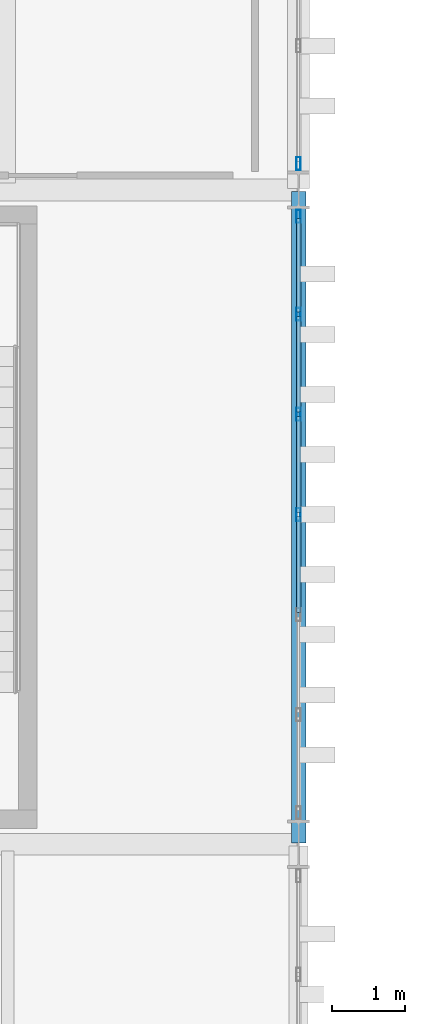
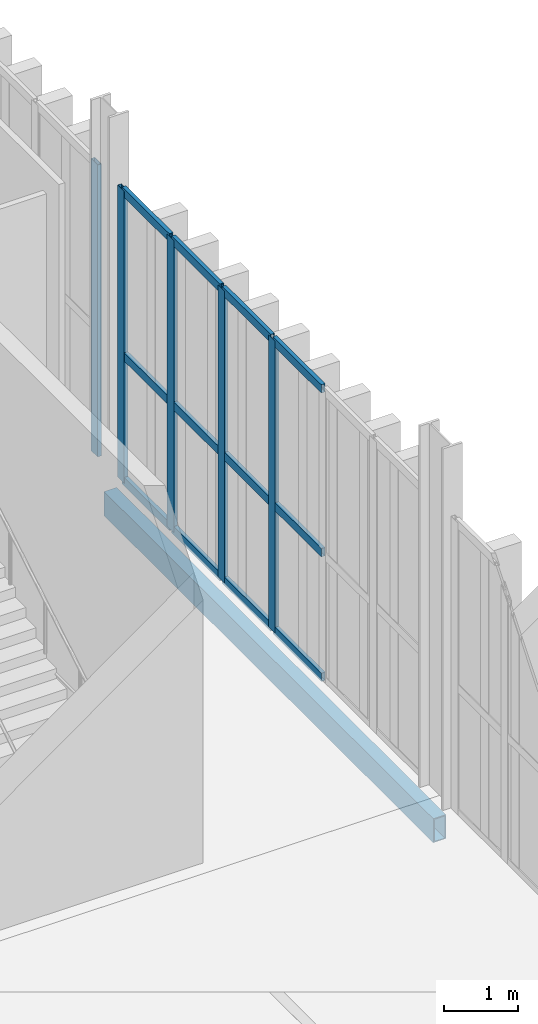
# One storey, part 135 of 237: 17 members, 1 beam, 2 elements without a shape of their own.
"""IFC4 building model written with IfcOpenShell, lengths in metres."""

from ifc_helpers import new_model, si_unit, direction, frame, origin, origin_2d, place, context, subcontext, project, spatial, hollow_rectangle, extrude, material, layer, layer_set, material_profile, profile_set, type_object, element, aggregate, save


model = new_model("IFC4")

# Units and contexts
model_context = context("Model", 3, precision=1e-05, world=origin(), true_north=direction((0.0, 1.0)))
body_context = subcontext(model_context, "Body", "Model", "MODEL_VIEW")
ifc_project = project(units=[si_unit("LENGTHUNIT", "METRE"), si_unit("AREAUNIT", "SQUARE_METRE"), si_unit("VOLUMEUNIT", "CUBIC_METRE"), si_unit("PLANEANGLEUNIT", "RADIAN"), si_unit("MASSUNIT", "GRAM", prefix="KILO")], contexts=[model_context])

# Site, building, storey
site_placement = place(None, origin())
site = spatial("IfcSite", under=ifc_project, at=site_placement, CompositionType="ELEMENT")
building_placement = place(site_placement, origin())
building = spatial("IfcBuilding", under=site, at=building_placement, Name="Barlavento Convention Centre", CompositionType="ELEMENT")
storey_placement = place(building_placement, frame((0.0, 0.0, 12.0)))
storey = spatial("IfcBuildingStorey", under=building, at=storey_placement, Name="L02", CompositionType="ELEMENT", Elevation=12.0)

# Curtain wall, members
ifc_material_1 = material(Name="Powder-coated aluminium and Low-E glass", Category="aluminium")
ifc_layer = layer(ifc_material_1, 0.195068359375)
ifc_layer_set = layer_set([ifc_layer], Name="ARC-CW-BALL-L02")
curtain_wall_type = type_object("IfcCurtainWallType", Name="ARC-CW-BALL-L02", PredefinedType="NOTDEFINED", material=ifc_layer_set)
curtain_wall_1_placement = place(storey_placement, origin())
curtain_wall_1 = element("IfcCurtainWall", 1, at=curtain_wall_1_placement, inside=storey, type_object=curtain_wall_type, Name="L02 unitised curtain wall CW07", PredefinedType="NOTDEFINED")
ifc_material_2 = material(Name="Powder-coated aluminium", Category="aluminium")
ifc_material_profile_1 = material_profile(ifc_material_2, hollow_rectangle(XDim=0.06005859375, YDim=0.179931640625, WallThickness=0.0048828125, at=origin_2d()), Name="AL-MULL 60x180x5")
ifc_profile_set_1 = profile_set([ifc_material_profile_1], Name="Powder-coated aluminium")
member_type_1 = type_object("IfcMemberType", Name="ARC-CWM-60X180", PredefinedType="MULLION", material=ifc_profile_set_1)
member_1_placement = place(storey_placement, frame((192.0, 58.535888671875, 0.0), z_axis=(0.0, 0.0, 1.0), x_axis=(-1.0, 0.0, 0.0)))
member_1 = element("IfcMember", 2, at=member_1_placement, type_object=member_type_1, Name="CW07 mullion 4", PredefinedType="MULLION", context=body_context, shape_type="SweptSolid", body=[
    extrude(hollow_rectangle(XDim=0.06005859375, YDim=0.179931640625, WallThickness=0.0048828125, at=origin_2d()), origin(), (0.0, 0.0, 1.0), 4.85009765625),
])
member_2_placement = place(storey_placement, frame((192.0, 59.913330078125, 0.0), z_axis=(0.0, 0.0, 1.0), x_axis=(-1.0, 0.0, 0.0)))
member_2 = element("IfcMember", 3, at=member_2_placement, type_object=member_type_1, Name="CW07 mullion 5", PredefinedType="MULLION", context=body_context, shape_type="SweptSolid", body=[
    extrude(hollow_rectangle(XDim=0.06005859375, YDim=0.179931640625, WallThickness=0.0048828125, at=origin_2d()), origin(), (0.0, 0.0, 1.0), 4.85009765625),
])
member_3_placement = place(storey_placement, frame((192.0, 61.290771484375, 0.0), z_axis=(0.0, 0.0, 1.0), x_axis=(-1.0, 0.0, 0.0)))
member_3 = element("IfcMember", 4, at=member_3_placement, type_object=member_type_1, Name="CW07 mullion 6", PredefinedType="MULLION", context=body_context, shape_type="SweptSolid", body=[
    extrude(hollow_rectangle(XDim=0.06005859375, YDim=0.179931640625, WallThickness=0.0048828125, at=origin_2d()), origin(), (0.0, 0.0, 1.0), 4.85009765625),
])
member_4_placement = place(storey_placement, frame((192.0, 62.637939453125, 0.0), z_axis=(0.0, 0.0, 1.0), x_axis=(-1.0, 0.0, 0.0)))
member_4 = element("IfcMember", 5, at=member_4_placement, type_object=member_type_1, Name="CW07 mullion 7", PredefinedType="MULLION", context=body_context, shape_type="SweptSolid", body=[
    extrude(hollow_rectangle(XDim=0.06005859375, YDim=0.179931640625, WallThickness=0.0048828125, at=origin_2d()), origin(), (0.0, 0.0, 1.0), 4.85009765625),
])

# Curtain wall, member
curtain_wall_2_placement = place(storey_placement, origin())
curtain_wall_2 = element("IfcCurtainWall", 6, at=curtain_wall_2_placement, inside=storey, type_object=curtain_wall_type, Name="L02 unitised curtain wall CW07", PredefinedType="NOTDEFINED")
member_5_placement = place(storey_placement, frame((192.0, 63.362060546875, 0.0), z_axis=(0.0, 0.0, 1.0), x_axis=(-1.0, 0.0, 0.0)))
member_5 = element("IfcMember", 7, at=member_5_placement, type_object=member_type_1, Name="CW07 mullion 1", PredefinedType="MULLION", context=body_context, shape_type="SweptSolid", body=[
    extrude(hollow_rectangle(XDim=0.06005859375, YDim=0.179931640625, WallThickness=0.0048828125, at=origin_2d()), origin(), (0.0, 0.0, 1.0), 4.85009765625),
])
aggregate(curtain_wall_2, [member_5])

# Member
ifc_material_profile_2 = material_profile(ifc_material_2, hollow_rectangle(XDim=0.06005859375, YDim=0.139892578125, WallThickness=0.00390625, at=origin_2d()), Name="AL-TRAN 60x140x4")
ifc_profile_set_2 = profile_set([ifc_material_profile_2], Name="Powder-coated aluminium")
member_type_2 = type_object("IfcMemberType", Name="ARC-CWT-60X140", PredefinedType="USERDEFINED", material=ifc_profile_set_2)
member_6_placement = place(storey_placement, frame((192.0, 57.188720703125, 0.030029296875), z_axis=(0.0, 1.0, 0.0), x_axis=(-1.0, 0.0, 0.0)))
member_6 = element("IfcMember", 8, at=member_6_placement, type_object=member_type_2, Name="CW07 transom 3.1", ObjectType="TRANSOM", PredefinedType="USERDEFINED", context=body_context, shape_type="SweptSolid", body=[
    extrude(hollow_rectangle(XDim=0.06005859375, YDim=0.139892578125, WallThickness=0.00390625, at=origin_2d()), origin(), (0.0, 0.0, 1.0), 1.3173828125),
])

member_7_placement = place(storey_placement, frame((192.0, 57.188720703125, 2.10009765625), z_axis=(0.0, 1.0, 0.0), x_axis=(-1.0, 0.0, 0.0)))
member_7 = element("IfcMember", 9, at=member_7_placement, type_object=member_type_2, Name="CW07 transom 3.2", ObjectType="TRANSOM", PredefinedType="USERDEFINED", context=body_context, shape_type="SweptSolid", body=[
    extrude(hollow_rectangle(XDim=0.06005859375, YDim=0.139892578125, WallThickness=0.00390625, at=origin_2d()), origin(), (0.0, 0.0, 1.0), 1.3173828125),
])

member_8_placement = place(storey_placement, frame((192.0, 57.188720703125, 4.820068359375), z_axis=(0.0, 1.0, 0.0), x_axis=(-1.0, 0.0, 0.0)))
member_8 = element("IfcMember", 10, at=member_8_placement, type_object=member_type_2, Name="CW07 transom 3.3", ObjectType="TRANSOM", PredefinedType="USERDEFINED", context=body_context, shape_type="SweptSolid", body=[
    extrude(hollow_rectangle(XDim=0.06005859375, YDim=0.139892578125, WallThickness=0.00390625, at=origin_2d()), origin(), (0.0, 0.0, 1.0), 1.3173828125),
])

member_9_placement = place(storey_placement, frame((192.0, 58.56591796875, 0.030029296875), z_axis=(0.0, 1.0, 0.0), x_axis=(-1.0, 0.0, 0.0)))
member_9 = element("IfcMember", 11, at=member_9_placement, type_object=member_type_2, Name="CW07 transom 4.1", ObjectType="TRANSOM", PredefinedType="USERDEFINED", context=body_context, shape_type="SweptSolid", body=[
    extrude(hollow_rectangle(XDim=0.06005859375, YDim=0.139892578125, WallThickness=0.00390625, at=origin_2d()), origin(), (0.0, 0.0, 1.0), 1.3173828125),
])

member_10_placement = place(storey_placement, frame((192.0, 58.56591796875, 2.10009765625), z_axis=(0.0, 1.0, 0.0), x_axis=(-1.0, 0.0, 0.0)))
member_10 = element("IfcMember", 12, at=member_10_placement, type_object=member_type_2, Name="CW07 transom 4.2", ObjectType="TRANSOM", PredefinedType="USERDEFINED", context=body_context, shape_type="SweptSolid", body=[
    extrude(hollow_rectangle(XDim=0.06005859375, YDim=0.139892578125, WallThickness=0.00390625, at=origin_2d()), origin(), (0.0, 0.0, 1.0), 1.3173828125),
])

member_11_placement = place(storey_placement, frame((192.0, 58.56591796875, 4.820068359375), z_axis=(0.0, 1.0, 0.0), x_axis=(-1.0, 0.0, 0.0)))
member_11 = element("IfcMember", 13, at=member_11_placement, type_object=member_type_2, Name="CW07 transom 4.3", ObjectType="TRANSOM", PredefinedType="USERDEFINED", context=body_context, shape_type="SweptSolid", body=[
    extrude(hollow_rectangle(XDim=0.06005859375, YDim=0.139892578125, WallThickness=0.00390625, at=origin_2d()), origin(), (0.0, 0.0, 1.0), 1.3173828125),
])

member_12_placement = place(storey_placement, frame((192.0, 59.943359375, 0.030029296875), z_axis=(0.0, 1.0, 0.0), x_axis=(-1.0, 0.0, 0.0)))
member_12 = element("IfcMember", 14, at=member_12_placement, type_object=member_type_2, Name="CW07 transom 5.1", ObjectType="TRANSOM", PredefinedType="USERDEFINED", context=body_context, shape_type="SweptSolid", body=[
    extrude(hollow_rectangle(XDim=0.06005859375, YDim=0.139892578125, WallThickness=0.00390625, at=origin_2d()), origin(), (0.0, 0.0, 1.0), 1.3173828125),
])

member_13_placement = place(storey_placement, frame((192.0, 59.943359375, 2.10009765625), z_axis=(0.0, 1.0, 0.0), x_axis=(-1.0, 0.0, 0.0)))
member_13 = element("IfcMember", 15, at=member_13_placement, type_object=member_type_2, Name="CW07 transom 5.2", ObjectType="TRANSOM", PredefinedType="USERDEFINED", context=body_context, shape_type="SweptSolid", body=[
    extrude(hollow_rectangle(XDim=0.06005859375, YDim=0.139892578125, WallThickness=0.00390625, at=origin_2d()), origin(), (0.0, 0.0, 1.0), 1.3173828125),
])

member_14_placement = place(storey_placement, frame((192.0, 59.943359375, 4.820068359375), z_axis=(0.0, 1.0, 0.0), x_axis=(-1.0, 0.0, 0.0)))
member_14 = element("IfcMember", 16, at=member_14_placement, type_object=member_type_2, Name="CW07 transom 5.3", ObjectType="TRANSOM", PredefinedType="USERDEFINED", context=body_context, shape_type="SweptSolid", body=[
    extrude(hollow_rectangle(XDim=0.06005859375, YDim=0.139892578125, WallThickness=0.00390625, at=origin_2d()), origin(), (0.0, 0.0, 1.0), 1.3173828125),
])

member_15_placement = place(storey_placement, frame((192.0, 61.320556640625, 0.030029296875), z_axis=(0.0, 1.0, 0.0), x_axis=(-1.0, 0.0, 0.0)))
member_15 = element("IfcMember", 17, at=member_15_placement, type_object=member_type_2, Name="CW07 transom 6.1", ObjectType="TRANSOM", PredefinedType="USERDEFINED", context=body_context, shape_type="SweptSolid", body=[
    extrude(hollow_rectangle(XDim=0.06005859375, YDim=0.139892578125, WallThickness=0.00390625, at=origin_2d()), origin(), (0.0, 0.0, 1.0), 1.287353515625),
])

member_16_placement = place(storey_placement, frame((192.0, 61.320556640625, 2.10009765625), z_axis=(0.0, 1.0, 0.0), x_axis=(-1.0, 0.0, 0.0)))
member_16 = element("IfcMember", 18, at=member_16_placement, type_object=member_type_2, Name="CW07 transom 6.2", ObjectType="TRANSOM", PredefinedType="USERDEFINED", context=body_context, shape_type="SweptSolid", body=[
    extrude(hollow_rectangle(XDim=0.06005859375, YDim=0.139892578125, WallThickness=0.00390625, at=origin_2d()), origin(), (0.0, 0.0, 1.0), 1.287353515625),
])

member_17_placement = place(storey_placement, frame((192.0, 61.320556640625, 4.820068359375), z_axis=(0.0, 1.0, 0.0), x_axis=(-1.0, 0.0, 0.0)))
member_17 = element("IfcMember", 19, at=member_17_placement, type_object=member_type_2, Name="CW07 transom 6.3", ObjectType="TRANSOM", PredefinedType="USERDEFINED", context=body_context, shape_type="SweptSolid", body=[
    extrude(hollow_rectangle(XDim=0.06005859375, YDim=0.139892578125, WallThickness=0.00390625, at=origin_2d()), origin(), (0.0, 0.0, 1.0), 1.287353515625),
])

aggregate(curtain_wall_1, [member_1, member_2, member_3, member_4, member_6, member_7, member_8, member_9, member_10, member_11, member_12, member_13, member_14, member_15, member_16, member_17])

# Beam
ifc_material_3 = material(Name="Steel S355", Category="steel")
ifc_material_profile_3 = material_profile(ifc_material_3, hollow_rectangle(XDim=0.199951171875, YDim=0.39990234375, WallThickness=0.01611328125, at=origin_2d()), Name="RHS 400x200x16.0")
ifc_profile_set_3 = profile_set([ifc_material_profile_3], Name="Steel S355")
beam_type = type_object("IfcBeamType", Name="STR-BM-SPN-RHS400", PredefinedType="SPANDREL", material=ifc_profile_set_3)
beam_placement = place(storey_placement, frame((192.0, 54.02001953125, -0.570068359375), z_axis=(0.0, 1.0, 0.0), x_axis=(-1.0, 0.0, 0.0)))
element("IfcBeam", 20, at=beam_placement, inside=storey, type_object=beam_type, Name="L02 grid girder SP06", PredefinedType="SPANDREL", context=body_context, shape_type="SweptSolid", body=[
    extrude(hollow_rectangle(XDim=0.199951171875, YDim=0.39990234375, WallThickness=0.01611328125, at=origin_2d()), origin(), (0.0, 0.0, 1.0), 8.9599609375),
])

save(model, "model.ifc")
